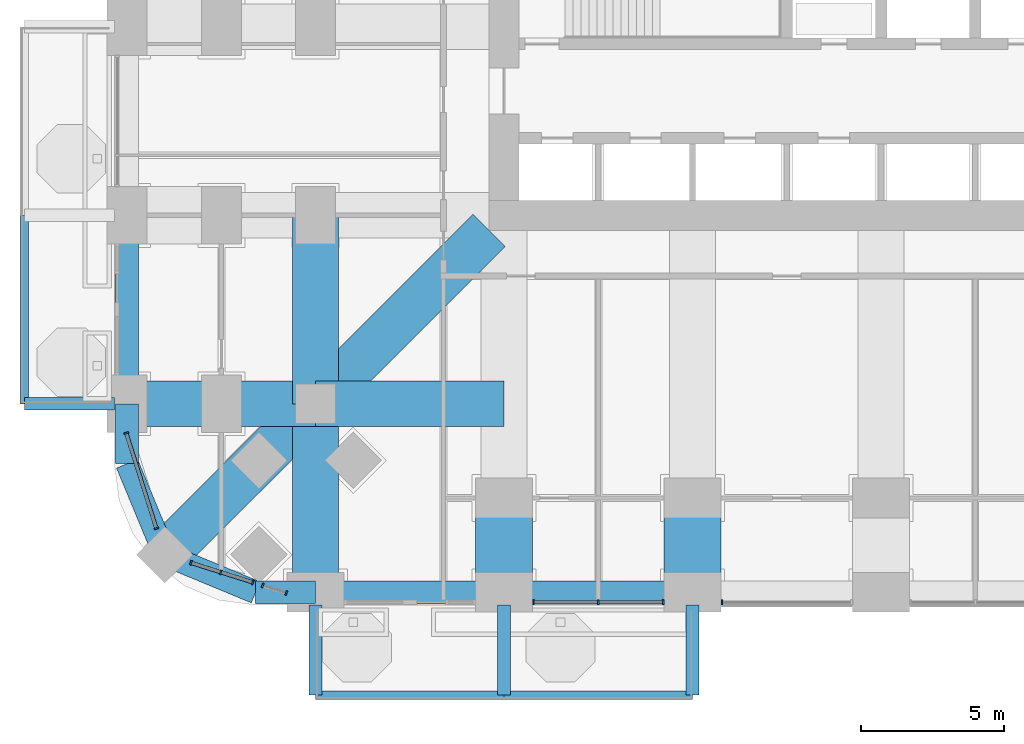
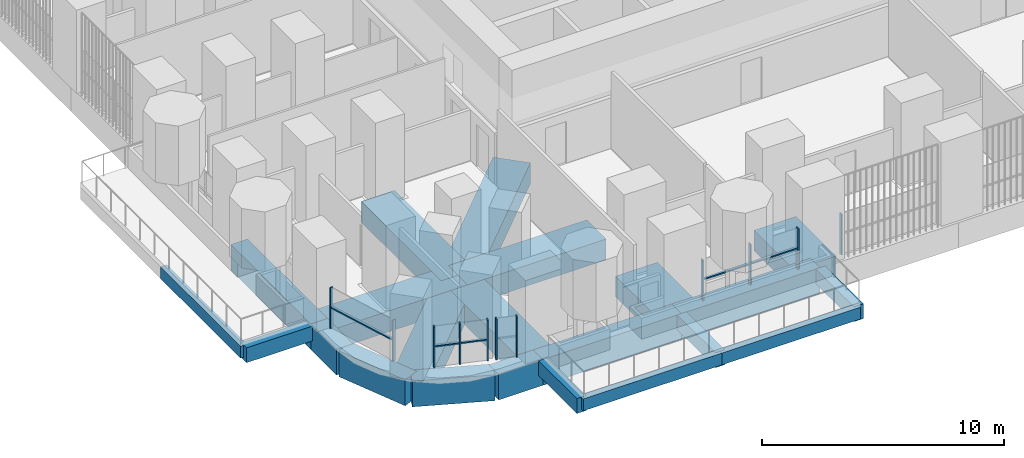
# One storey, part 2 of 27: 22 beams, 16 members, 5 elements without a shape of their own.
"""IFC4 building model written with IfcOpenShell, lengths in metres."""

import ifcopenshell
import ifcopenshell.guid

model = None  # the IFC model being written
_history = None  # IfcOwnerHistory: only IFC2X3 demands one
_inside = {}  # id of a spatial element -> (the spatial element, [elements in it])
_under = {}  # id of a project, library or spatial element -> (it, [spatial elements below it])
_declared = {}  # id of a project -> (the project, [libraries it declares])
_typed = {}  # id of a type object -> (the type object, [elements of that type])
_made_of = {}  # id of a material, layer set ... -> (it, [elements and type objects made of it])


def new_model(schema):
    """Start an empty IFC model of exactly this schema.

    Asked for "IFC4X3", IfcOpenShell would pick the latest addendum, in which some entities
    have other attributes; the version numbers below select the first issue.
    IFC2X3 requires an IfcOwnerHistory on every rooted entity: one is made here for all.
    """
    global model, _history
    if schema == "IFC4X3":
        model = ifcopenshell.file(schema_version=(4, 3, 0, 0))
    else:
        model = ifcopenshell.file(schema=schema)
    _inside.clear()
    _under.clear()
    _declared.clear()
    _typed.clear()
    _made_of.clear()
    _history = None
    if model.schema == "IFC2X3":
        org = make("IfcOrganization", Name="unknown")
        user = make(
            "IfcPersonAndOrganization",
            ThePerson=make("IfcPerson", FamilyName="unknown"),
            TheOrganization=org,
        )
        app = make(
            "IfcApplication",
            ApplicationDeveloper=org,
            Version="unknown",
            ApplicationFullName="unknown",
            ApplicationIdentifier="unknown",
        )
        _history = make(
            "IfcOwnerHistory",
            OwningUser=user,
            OwningApplication=app,
            ChangeAction="ADDED",
            CreationDate=0,
        )
    return model


def make(cls, **values):
    """One entity of the class cls with the attributes given. An attribute that is None is left unset."""
    return model.create_entity(
        cls, **{name: value for name, value in values.items() if value is not None}
    )


def rooted(cls, **values):
    """An entity with a GlobalId (a new one), such as an element, a storey or a relation."""
    return make(cls, GlobalId=ifcopenshell.guid.new(), OwnerHistory=_history, **values)


def si_unit(unit_type, name, prefix=None):
    """IfcSIUnit, for example si_unit("LENGTHUNIT", "METRE", prefix="MILLI")."""
    return make("IfcSIUnit", UnitType=unit_type, Prefix=prefix, Name=name)


def assignment(units):
    """IfcUnitAssignment: the units of a project."""
    return None if units is None else make("IfcUnitAssignment", Units=units)


def point(xyz):
    """IfcCartesianPoint."""
    return None if xyz is None else make("IfcCartesianPoint", Coordinates=xyz)


def direction(xyz):
    """IfcDirection."""
    return None if xyz is None else make("IfcDirection", DirectionRatios=xyz)


def frame(location, z_axis=None, x_axis=None):
    """IfcAxis2Placement3D, a coordinate frame: its origin and axes. An axis left out is left unset."""
    return make(
        "IfcAxis2Placement3D",
        Location=point(location),
        Axis=direction(z_axis),
        RefDirection=direction(x_axis),
    )


def frame_2d(location, x_axis=None):
    """IfcAxis2Placement2D, a coordinate frame in the plane: its origin and x axis."""
    return make(
        "IfcAxis2Placement2D", Location=point(location), RefDirection=direction(x_axis)
    )


def origin():
    """The frame at (0, 0, 0) with its axes left unset."""
    return frame((0.0, 0.0, 0.0))


def origin_2d():
    """The frame at (0, 0) in the plane with its x axis left unset."""
    return frame_2d((0.0, 0.0))


def place(relative_to, where):
    """IfcLocalPlacement: puts the frame where relative to a parent placement (None: the world)."""
    return make(
        "IfcLocalPlacement", PlacementRelTo=relative_to, RelativePlacement=where
    )


def context(
    kind, dimensions, precision=None, world=None, true_north=None, identifier=None
):
    """IfcGeometricRepresentationContext, for example the 3D "Model" context."""
    return make(
        "IfcGeometricRepresentationContext",
        ContextIdentifier=identifier,
        ContextType=kind,
        CoordinateSpaceDimension=dimensions,
        Precision=precision,
        WorldCoordinateSystem=world,
        TrueNorth=true_north,
    )


def subcontext(parent, identifier, kind, view, scale=None):
    """IfcGeometricRepresentationSubContext, for example "Body" below "Model"."""
    return make(
        "IfcGeometricRepresentationSubContext",
        ContextIdentifier=identifier,
        ContextType=kind,
        ParentContext=parent,
        TargetScale=scale,
        TargetView=view,
    )


def project(units=None, contexts=None):
    """IfcProject with its units and contexts."""
    return rooted(
        "IfcProject",
        Name="project",
        RepresentationContexts=contexts,
        UnitsInContext=assignment(units),
    )


def spatial(cls, under=None, at=None, **own):
    """A site, building, storey or space (cls), placed at a placement, below another one or the project."""
    s = rooted(cls, ObjectPlacement=at, **own)
    if under is not None:
        _under.setdefault(under.id(), (under, []))[1].append(s)
    return s


def profile(cls, at=None, kind="AREA", **sizes):
    """A parametric profile (cls). Its sizes go by their IFC names, for example OverallWidth=200.0."""
    return make(cls, ProfileType=kind, Position=at, **sizes)


def rectangle(**sizes):
    """IfcRectangleProfileDef."""
    return profile("IfcRectangleProfileDef", **sizes)


def extrude(swept, where, along, depth):
    """IfcExtrudedAreaSolid: the profile swept, set in the frame where, extruded along a direction by depth."""
    return make(
        "IfcExtrudedAreaSolid",
        SweptArea=swept,
        Position=where,
        ExtrudedDirection=direction(along),
        Depth=depth,
    )


def shape(context_of_items, identifier, shape_type, items):
    """IfcShapeRepresentation: the items that make up one representation, for example the "Body"."""
    return make(
        "IfcShapeRepresentation",
        ContextOfItems=context_of_items,
        RepresentationIdentifier=identifier,
        RepresentationType=shape_type,
        Items=items,
    )


def material(Name=None, Category=None):
    """IfcMaterial."""
    return make("IfcMaterial", Name=Name, Category=Category)


def material_profile(
    of_material, cross_section, Name=None, Category=None, Priority=None
):
    """IfcMaterialProfile: a cross section and its material."""
    return make(
        "IfcMaterialProfile",
        Name=Name,
        Material=of_material,
        Profile=cross_section,
        Priority=Priority,
        Category=Category,
    )


def profile_set(profiles, Name=None, composite=None):
    """IfcMaterialProfileSet."""
    return make(
        "IfcMaterialProfileSet",
        Name=Name,
        MaterialProfiles=profiles,
        CompositeProfile=composite,
    )


def made_of(thing, what):
    """Note that an element or type object is made of a material, layer set ...; save() writes the relation."""
    if what is not None:
        _made_of.setdefault(what.id(), (what, []))[1].append(thing)
    return thing


def type_object(cls, material=None, **own):
    """A type object (cls), such as IfcWallType, which elements share."""
    return made_of(rooted(cls, **own), material)


def element(
    cls,
    number,
    at=None,
    inside=None,
    cuts=None,
    type_object=None,
    material=None,
    context=None,
    identifier="Body",
    shape_type=None,
    held_by="IfcProductDefinitionShape",
    body=None,
    shapes=None,
    **own,
):
    """One element of the class cls, such as IfcWall. Its Tag is "e" and its number.

    at: its placement. inside: the storey or other place that contains it. cuts: it is an
    opening in that element (IfcRelVoidsElement). A single representation is given by context,
    identifier, shape_type and body (its items); several are given by shapes. held_by: the class
    of the entity that holds the representations. save() writes the other relations.
    """
    e = rooted(cls, Tag="e%d" % number, ObjectPlacement=at, **own)
    if body is not None:
        shapes = [shape(context, identifier, shape_type, body)]
    if shapes is not None:
        e.Representation = make(held_by, Representations=shapes)
    if inside is not None:
        _inside.setdefault(inside.id(), (inside, []))[1].append(e)
    if cuts is not None:
        rooted(
            "IfcRelVoidsElement", RelatingBuildingElement=cuts, RelatedOpeningElement=e
        )
    if type_object is not None:
        _typed.setdefault(type_object.id(), (type_object, []))[1].append(e)
    return made_of(e, material)


def aggregate(whole, parts):
    """IfcRelAggregates: a whole, such as a stair, and the parts it consists of."""
    return rooted("IfcRelAggregates", RelatingObject=whole, RelatedObjects=parts)


def save(model, path):
    """Write the relations noted so far, then the file.

    IfcRelAggregates (storeys below a building ...), IfcRelContainedInSpatialStructure (elements
    in a storey), IfcRelDefinesByType, IfcRelAssociatesMaterial and IfcRelDeclares: one each for
    every whole, place, type object, material and project.
    """
    for whole, parts in _under.values():
        aggregate(whole, parts)
    for where, things in _inside.values():
        rooted(
            "IfcRelContainedInSpatialStructure",
            RelatedElements=things,
            RelatingStructure=where,
        )
    for kind, things in _typed.values():
        rooted("IfcRelDefinesByType", RelatedObjects=things, RelatingType=kind)
    for what, things in _made_of.values():
        rooted("IfcRelAssociatesMaterial", RelatedObjects=things, RelatingMaterial=what)
    for by, libraries in _declared.values():
        rooted("IfcRelDeclares", RelatingContext=by, RelatedDefinitions=libraries)
    model.write(path)


model = new_model("IFC4")

# Units and contexts
model_context = context("Model", 3, precision=1e-05, world=origin(), true_north=direction((0.0, 1.0)))
body_context = subcontext(model_context, "Body", "Model", "MODEL_VIEW")
ifc_project = project(units=[si_unit("LENGTHUNIT", "METRE"), si_unit("AREAUNIT", "SQUARE_METRE"), si_unit("VOLUMEUNIT", "CUBIC_METRE"), si_unit("PLANEANGLEUNIT", "RADIAN"), si_unit("MASSUNIT", "GRAM", prefix="KILO")], contexts=[model_context])

# Site, building, storey
site_placement = place(None, origin())
site = spatial("IfcSite", under=ifc_project, at=site_placement, CompositionType="ELEMENT")
building_placement = place(site_placement, origin())
building = spatial("IfcBuilding", under=site, at=building_placement, Name="Cobogo Forest Laboratory Tower", CompositionType="ELEMENT")
storey_placement = place(building_placement, frame((0.0, 0.0, 71.699951171875)))
storey = spatial("IfcBuildingStorey", under=building, at=storey_placement, Name="L16", CompositionType="ELEMENT", Elevation=71.699951171875)

# Beams
ifc_material_1 = material(Name="Concrete HA-40 (C40/50)", Category="concrete")
ifc_material_profile_1 = material_profile(ifc_material_1, rectangle(XDim=0.449951171875, YDim=0.75, at=origin_2d()), Name="RC 450x750")
ifc_profile_set_1 = profile_set([ifc_material_profile_1], Name="Concrete HA-40 (C40/50)")
beam_type_1 = type_object("IfcBeamType", Name="Balcony cantilever beam 450x750", PredefinedType="BEAM", material=ifc_profile_set_1)
for number, where, z_axis, x_axis, name in (
    (1, (6.60009765625, -0.449951171875, -0.625), (0.0, -1.0, 0.0), (1.0, 0.0, 0.0), "CB1 BAL-S1-C1 L16"),
    (2, (13.199951171875, -0.449951171875, -0.625), (0.0, -1.0, 0.0), (1.0, 0.0, 0.0), "CB1 BAL-S1-C2 L16"),
    (3, (19.800048828125, -0.449951171875, -0.625), (0.0, -1.0, 0.0), (1.0, 0.0, 0.0), "CB1 BAL-S1-C3 L16"),
    (4, (-0.449951171875, 6.60009765625, -0.625), (-1.0, 0.0, 0.0), (0.0, -1.0, 0.0), "CB1 BAL-W1-C1 L16"),
):
    element("IfcBeam", number, at=place(storey_placement, frame(where, z_axis=z_axis, x_axis=x_axis)), inside=storey, type_object=beam_type_1, Name=name, PredefinedType="BEAM", context=body_context, shape_type="SweptSolid", body=[
        extrude(rectangle(XDim=0.449951171875, YDim=0.75, at=origin_2d()), origin(), (0.0, 0.0, 1.0), 3.150146484375),
    ])
ifc_material_profile_2 = material_profile(ifc_material_1, rectangle(XDim=0.300048828125, YDim=0.60009765625, at=origin_2d()), Name="RC 300x600")
ifc_profile_set_2 = profile_set([ifc_material_profile_2], Name="Concrete HA-40 (C40/50)")
beam_type_2 = type_object("IfcBeamType", Name="Balcony edge beam 300x600", PredefinedType="BEAM", material=ifc_profile_set_2)
beam_1_placement = place(storey_placement, frame((6.60009765625, -3.60009765625, -0.550048828125), z_axis=(1.0, 0.0, 0.0), x_axis=(0.0, 1.0, 0.0)))
element("IfcBeam", 5, at=beam_1_placement, inside=storey, type_object=beam_type_2, Name="BB1 BAL-S1-T1 L16", PredefinedType="BEAM", context=body_context, shape_type="SweptSolid", body=[
    extrude(rectangle(XDim=0.300048828125, YDim=0.60009765625, at=origin_2d()), origin(), (0.0, 0.0, 1.0), 6.599853515625),
])
beam_2_placement = place(storey_placement, frame((13.199951171875, -3.60009765625, -0.550048828125), z_axis=(1.0, 0.0, 0.0), x_axis=(0.0, 1.0, 0.0)))
element("IfcBeam", 6, at=beam_2_placement, inside=storey, type_object=beam_type_2, Name="BB1 BAL-S1-T2 L16", PredefinedType="BEAM", context=body_context, shape_type="SweptSolid", body=[
    extrude(rectangle(XDim=0.300048828125, YDim=0.60009765625, at=origin_2d()), origin(), (0.0, 0.0, 1.0), 6.60009765625),
])
beam_3_placement = place(storey_placement, frame((-3.60009765625, 6.60009765625, -0.550048828125), z_axis=(0.0, 1.0, 0.0), x_axis=(-1.0, 0.0, 0.0)))
element("IfcBeam", 7, at=beam_3_placement, inside=storey, type_object=beam_type_2, Name="BB1 BAL-W1-T1 L16", PredefinedType="BEAM", context=body_context, shape_type="SweptSolid", body=[
    extrude(rectangle(XDim=0.300048828125, YDim=0.60009765625, at=origin_2d()), origin(), (0.0, 0.0, 1.0), 6.599853515625),
])
ifc_material_2 = material(Name="Concrete HA-50 (C50/60)", Category="concrete")
ifc_material_profile_3 = material_profile(ifc_material_2, rectangle(XDim=2.0, YDim=1.050048828125, at=origin_2d()), Name="RC 2000x1050")
ifc_profile_set_3 = profile_set([ifc_material_profile_3], Name="Concrete HA-50 (C50/60)")
beam_type_3 = type_object("IfcBeamType", Name="End-bay wide beam 2000x1050", PredefinedType="BEAM", material=ifc_profile_set_3)
for number, where, z_axis, x_axis, name in (
    (8, (13.199951171875, 0.0, -0.824951171875), (0.0, 1.0, 0.0), (-1.0, 0.0, 0.0), "RB7 R-3-S-X L16"),
    (9, (19.800048828125, 0.0, -0.824951171875), (0.0, 1.0, 0.0), (-1.0, 0.0, 0.0), "RB7 R-4-S-X L16"),
):
    element("IfcBeam", number, at=place(storey_placement, frame(where, z_axis=z_axis, x_axis=x_axis)), inside=storey, type_object=beam_type_3, Name=name, PredefinedType="BEAM", context=body_context, shape_type="SweptSolid", body=[
        extrude(rectangle(XDim=2.0, YDim=1.050048828125, at=origin_2d()), origin(), (0.0, 0.0, 1.0), 3.300048828125),
    ])
ifc_material_profile_4 = material_profile(ifc_material_2, rectangle(XDim=1.60009765625, YDim=1.050048828125, at=origin_2d()), Name="RC 1600x1050")
ifc_profile_set_4 = profile_set([ifc_material_profile_4], Name="Concrete HA-50 (C50/60)")
beam_type_4 = type_object("IfcBeamType", Name="Laboratory floor wide beam 1600x1050", PredefinedType="BEAM", material=ifc_profile_set_4)
beam_4_placement = place(storey_placement, frame((6.60009765625, 0.0, -0.824951171875), z_axis=(0.0, 1.0, 0.0), x_axis=(-1.0, 0.0, 0.0)))
element("IfcBeam", 10, at=beam_4_placement, inside=storey, type_object=beam_type_4, Name="RB8 G-SW-XF L16", PredefinedType="BEAM", context=body_context, shape_type="SweptSolid", body=[
    extrude(rectangle(XDim=1.60009765625, YDim=1.050048828125, at=origin_2d()), origin(), (0.0, 0.0, 1.0), 6.60009765625),
])
beam_5_placement = place(storey_placement, frame((6.60009765625, 6.60009765625, -0.824951171875), z_axis=(0.0, 1.0, 0.0), x_axis=(-1.0, 0.0, 0.0)))
element("IfcBeam", 11, at=beam_5_placement, inside=storey, type_object=beam_type_4, Name="RB8 G-SW-XC L16", PredefinedType="BEAM", context=body_context, shape_type="SweptSolid", body=[
    extrude(rectangle(XDim=1.60009765625, YDim=1.050048828125, at=origin_2d()), origin(), (0.0, 0.0, 1.0), 6.599853515625),
])
beam_6_placement = place(storey_placement, frame((0.0, 6.60009765625, -0.824951171875), z_axis=(1.0, 0.0, 0.0), x_axis=(0.0, 1.0, 0.0)))
element("IfcBeam", 12, at=beam_6_placement, inside=storey, type_object=beam_type_4, Name="RB8 G-SW-YF L16", PredefinedType="BEAM", context=body_context, shape_type="SweptSolid", body=[
    extrude(rectangle(XDim=1.60009765625, YDim=1.050048828125, at=origin_2d()), origin(), (0.0, 0.0, 1.0), 6.60009765625),
])
beam_7_placement = place(storey_placement, frame((6.60009765625, 6.60009765625, -0.824951171875), z_axis=(1.0, 0.0, 0.0), x_axis=(0.0, 1.0, 0.0)))
element("IfcBeam", 13, at=beam_7_placement, inside=storey, type_object=beam_type_4, Name="RB8 G-SW-YC L16", PredefinedType="BEAM", context=body_context, shape_type="SweptSolid", body=[
    extrude(rectangle(XDim=1.60009765625, YDim=1.050048828125, at=origin_2d()), origin(), (0.0, 0.0, 1.0), 6.599853515625),
])
beam_8_placement = place(storey_placement, frame((1.318115234375, 1.318115234375, -0.824951171875), z_axis=(0.707106781187, 0.707106781187, 0.0), x_axis=(-0.707106781187, 0.707106781187, 0.0)))
element("IfcBeam", 14, at=beam_8_placement, inside=storey, type_object=beam_type_4, Name="RB8 G-SW-D1 L16", PredefinedType="BEAM", context=body_context, shape_type="SweptSolid", body=[
    extrude(rectangle(XDim=1.60009765625, YDim=1.050048828125, at=origin_2d()), origin(), (0.0, 0.0, 1.0), 7.469970703125),
])
beam_9_placement = place(storey_placement, frame((6.60009765625, 6.60009765625, -0.824951171875), z_axis=(0.707106781187, 0.707106781187, 0.0), x_axis=(-0.707106781187, 0.707106781187, 0.0)))
element("IfcBeam", 15, at=beam_9_placement, inside=storey, type_object=beam_type_4, Name="RB8 G-SW-D2 L16", PredefinedType="BEAM", context=body_context, shape_type="SweptSolid", body=[
    extrude(rectangle(XDim=1.60009765625, YDim=1.050048828125, at=origin_2d()), origin(), (0.0, 0.0, 1.0), 8.59130859375),
])

# Curtain wall, members
ifc_material_3 = material(Name="Aluminium curtain wall", Category="aluminium")
curtain_wall_type = type_object("IfcCurtainWallType", Name="CW-1 unitised curtain wall, clear glazing, laboratory floors zones A and B", PredefinedType="USERDEFINED", material=ifc_material_3)
curtain_wall_1_placement = place(storey_placement, origin())
curtain_wall_1 = element("IfcCurtainWall", 16, at=curtain_wall_1_placement, inside=storey, type_object=curtain_wall_type, Name="Curtain wall 02 L16", ObjectType="UNITISED CURTAIN WALL", PredefinedType="USERDEFINED")
ifc_material_4 = material(Name="Aluminium mullion", Category="aluminium")
ifc_material_profile_5 = material_profile(ifc_material_4, rectangle(XDim=0.06005859375, YDim=0.159912109375, at=origin_2d()), Name="AL 60x160")
ifc_profile_set_5 = profile_set([ifc_material_profile_5], Name="Aluminium mullion")
member_type_1 = type_object("IfcMemberType", Name="MU-1 aluminium mullion 60x160", PredefinedType="MULLION", material=ifc_profile_set_5)
member_1_placement = place(storey_placement, frame((14.22998046875, -0.35009765625, 0.0), z_axis=(0.0, 0.0, 1.0), x_axis=(1.0, 0.0, 0.0)))
member_1 = element("IfcMember", 17, at=member_1_placement, type_object=member_type_1, Name="CW-1 mullion 1", PredefinedType="MULLION", context=body_context, shape_type="SweptSolid", body=[
    extrude(rectangle(XDim=0.06005859375, YDim=0.159912109375, at=origin_2d()), origin(), (0.0, 0.0, 1.0), 2.050048828125),
])
member_2_placement = place(storey_placement, frame((16.5, -0.35009765625, 0.0), z_axis=(0.0, 0.0, 1.0), x_axis=(1.0, 0.0, 0.0)))
member_2 = element("IfcMember", 18, at=member_2_placement, type_object=member_type_1, Name="CW-1 mullion 2", PredefinedType="MULLION", context=body_context, shape_type="SweptSolid", body=[
    extrude(rectangle(XDim=0.06005859375, YDim=0.159912109375, at=origin_2d()), origin(), (0.0, 0.0, 1.0), 2.050048828125),
])
member_3_placement = place(storey_placement, frame((18.77001953125, -0.35009765625, 0.0), z_axis=(0.0, 0.0, 1.0), x_axis=(1.0, 0.0, 0.0)))
member_3 = element("IfcMember", 19, at=member_3_placement, type_object=member_type_1, Name="CW-1 mullion 3", PredefinedType="MULLION", context=body_context, shape_type="SweptSolid", body=[
    extrude(rectangle(XDim=0.06005859375, YDim=0.159912109375, at=origin_2d()), origin(), (0.0, 0.0, 1.0), 2.050048828125),
])

# Curtain wall, member
curtain_wall_2_placement = place(storey_placement, origin())
curtain_wall_2 = element("IfcCurtainWall", 20, at=curtain_wall_2_placement, inside=storey, type_object=curtain_wall_type, Name="Curtain wall 03 L16", ObjectType="UNITISED CURTAIN WALL", PredefinedType="USERDEFINED")
member_4_placement = place(storey_placement, frame((20.830078125, -0.35009765625, 0.0), z_axis=(0.0, 0.0, 1.0), x_axis=(1.0, 0.0, 0.0)))
member_4 = element("IfcMember", 21, at=member_4_placement, type_object=member_type_1, Name="CW-1 mullion 1", PredefinedType="MULLION", context=body_context, shape_type="SweptSolid", body=[
    extrude(rectangle(XDim=0.06005859375, YDim=0.159912109375, at=origin_2d()), origin(), (0.0, 0.0, 1.0), 2.050048828125),
])
aggregate(curtain_wall_2, [member_4])

# Curtain wall, members
curtain_wall_3_placement = place(storey_placement, origin())
curtain_wall_3 = element("IfcCurtainWall", 22, at=curtain_wall_3_placement, inside=storey, type_object=curtain_wall_type, Name="Curtain wall 32 L16", ObjectType="UNITISED CURTAIN WALL", PredefinedType="USERDEFINED")
member_5_placement = place(storey_placement, frame((-0.025146484375, 5.5712890625, 0.0), z_axis=(0.0, 0.0, 1.0), x_axis=(0.301135433696, -0.953581381201, 0.0)))
member_5 = element("IfcMember", 23, at=member_5_placement, type_object=member_type_1, Name="CW-1 mullion 1", PredefinedType="MULLION", context=body_context, shape_type="SweptSolid", body=[
    extrude(rectangle(XDim=0.06005859375, YDim=0.159912109375, at=origin_2d()), origin(), (0.0, 0.0, 1.0), 2.050048828125),
])
member_6_placement = place(storey_placement, frame((1.02734375, 2.23876953125, 0.0), z_axis=(0.0, 0.0, 1.0), x_axis=(0.301135433696, -0.953581381201, 0.0)))
member_6 = element("IfcMember", 24, at=member_6_placement, type_object=member_type_1, Name="CW-1 mullion 2", PredefinedType="MULLION", context=body_context, shape_type="SweptSolid", body=[
    extrude(rectangle(XDim=0.06005859375, YDim=0.159912109375, at=origin_2d()), origin(), (0.0, 0.0, 1.0), 2.050048828125),
])

curtain_wall_4_placement = place(storey_placement, origin())
curtain_wall_4 = element("IfcCurtainWall", 25, at=curtain_wall_4_placement, inside=storey, type_object=curtain_wall_type, Name="Curtain wall 33 L16", ObjectType="UNITISED CURTAIN WALL", PredefinedType="USERDEFINED")
member_7_placement = place(storey_placement, frame((2.23876953125, 1.02734375, 0.0), z_axis=(0.0, 0.0, 1.0), x_axis=(0.953581409645, -0.301135343623, 0.0)))
member_7 = element("IfcMember", 26, at=member_7_placement, type_object=member_type_1, Name="CW-1 mullion 1", PredefinedType="MULLION", context=body_context, shape_type="SweptSolid", body=[
    extrude(rectangle(XDim=0.06005859375, YDim=0.159912109375, at=origin_2d()), origin(), (0.0, 0.0, 1.0), 2.050048828125),
])
member_8_placement = place(storey_placement, frame((3.27587890625, 0.69970703125, 0.0), z_axis=(0.0, 0.0, 1.0), x_axis=(0.953581409645, -0.301135343623, 0.0)))
member_8 = element("IfcMember", 27, at=member_8_placement, type_object=member_type_1, Name="CW-1 mullion 2", PredefinedType="MULLION", context=body_context, shape_type="SweptSolid", body=[
    extrude(rectangle(XDim=0.06005859375, YDim=0.159912109375, at=origin_2d()), origin(), (0.0, 0.0, 1.0), 2.050048828125),
])
member_9_placement = place(storey_placement, frame((4.39697265625, 0.345703125, 0.0), z_axis=(0.0, 0.0, 1.0), x_axis=(0.953581409645, -0.301135343623, 0.0)))
member_9 = element("IfcMember", 28, at=member_9_placement, type_object=member_type_1, Name="CW-1 mullion 3", PredefinedType="MULLION", context=body_context, shape_type="SweptSolid", body=[
    extrude(rectangle(XDim=0.06005859375, YDim=0.159912109375, at=origin_2d()), origin(), (0.0, 0.0, 1.0), 2.050048828125),
])

curtain_wall_5_placement = place(storey_placement, origin())
curtain_wall_5 = element("IfcCurtainWall", 29, at=curtain_wall_5_placement, inside=storey, type_object=curtain_wall_type, Name="Curtain wall 34 L16", ObjectType="UNITISED CURTAIN WALL", PredefinedType="USERDEFINED")
member_10_placement = place(storey_placement, frame((4.74658203125, 0.2353515625, 0.0), z_axis=(0.0, 0.0, 1.0), x_axis=(0.953581406818, -0.301135352577, 0.0)))
member_10 = element("IfcMember", 30, at=member_10_placement, type_object=member_type_1, Name="CW-1 mullion 1", PredefinedType="MULLION", context=body_context, shape_type="SweptSolid", body=[
    extrude(rectangle(XDim=0.06005859375, YDim=0.159912109375, at=origin_2d()), origin(), (0.0, 0.0, 1.0), 2.050048828125),
])
member_11_placement = place(storey_placement, frame((5.5712890625, -0.025146484375, 0.0), z_axis=(0.0, 0.0, 1.0), x_axis=(0.953581406818, -0.301135352577, 0.0)))
member_11 = element("IfcMember", 31, at=member_11_placement, type_object=member_type_1, Name="CW-1 mullion 2", PredefinedType="MULLION", context=body_context, shape_type="SweptSolid", body=[
    extrude(rectangle(XDim=0.06005859375, YDim=0.159912109375, at=origin_2d()), origin(), (0.0, 0.0, 1.0), 2.050048828125),
])
aggregate(curtain_wall_5, [member_10, member_11])

# Beams
ifc_material_profile_6 = material_profile(ifc_material_1, rectangle(XDim=0.800048828125, YDim=1.300048828125, at=origin_2d()), Name="RC 800x1300")
ifc_profile_set_6 = profile_set([ifc_material_profile_6], Name="Concrete HA-40 (C40/50)")
beam_type_5 = type_object("IfcBeamType", Name="Perimeter edge beam 800x1300", PredefinedType="BEAM", material=ifc_profile_set_6)
beam_10_placement = place(storey_placement, frame((6.60009765625, 0.0, -0.949951171875), z_axis=(1.0, 0.0, 0.0), x_axis=(0.0, 1.0, 0.0)))
element("IfcBeam", 32, at=beam_10_placement, inside=storey, type_object=beam_type_5, Name="EB2 E-S1 L16", PredefinedType="BEAM", context=body_context, shape_type="SweptSolid", body=[
    extrude(rectangle(XDim=0.800048828125, YDim=1.300048828125, at=origin_2d()), origin(), (0.0, 0.0, 1.0), 6.599853515625),
])
beam_11_placement = place(storey_placement, frame((13.199951171875, 0.0, -0.949951171875), z_axis=(1.0, 0.0, 0.0), x_axis=(0.0, 1.0, 0.0)))
element("IfcBeam", 33, at=beam_11_placement, inside=storey, type_object=beam_type_5, Name="EB2 E-S2 L16", PredefinedType="BEAM", context=body_context, shape_type="SweptSolid", body=[
    extrude(rectangle(XDim=0.800048828125, YDim=1.300048828125, at=origin_2d()), origin(), (0.0, 0.0, 1.0), 6.60009765625),
])
beam_12_placement = place(storey_placement, frame((0.0, 6.60009765625, -0.949951171875), z_axis=(0.0, 1.0, 0.0), x_axis=(-1.0, 0.0, 0.0)))
element("IfcBeam", 34, at=beam_12_placement, inside=storey, type_object=beam_type_5, Name="EB2 E-W1 L16", PredefinedType="BEAM", context=body_context, shape_type="SweptSolid", body=[
    extrude(rectangle(XDim=0.800048828125, YDim=1.300048828125, at=origin_2d()), origin(), (0.0, 0.0, 1.0), 6.599853515625),
])
beam_13_placement = place(storey_placement, frame((6.60009765625, 0.0, -0.949951171875), z_axis=(-1.0, 0.0, 0.0), x_axis=(0.0, -1.0, 0.0)))
element("IfcBeam", 35, at=beam_13_placement, inside=storey, type_object=beam_type_5, Name="EB2 E-SWS1 L16", PredefinedType="BEAM", context=body_context, shape_type="SweptSolid", body=[
    extrude(rectangle(XDim=0.800048828125, YDim=1.300048828125, at=origin_2d()), origin(), (0.0, 0.0, 1.0), 2.10009765625),
])
beam_14_placement = place(storey_placement, frame((4.5, 0.0, -0.949951171875), z_axis=(-0.923865631356, 0.382716990999, 0.0), x_axis=(-0.382716990999, -0.923865631356, 0.0)))
element("IfcBeam", 36, at=beam_14_placement, inside=storey, type_object=beam_type_5, Name="EB2 E-SWS2 L16", PredefinedType="BEAM", context=body_context, shape_type="SweptSolid", body=[
    extrude(rectangle(XDim=0.800048828125, YDim=1.300048828125, at=origin_2d()), origin(), (0.0, 0.0, 1.0), 3.444091796875),
])
beam_15_placement = place(storey_placement, frame((0.0, 6.60009765625, -0.949951171875), z_axis=(0.0, -1.0, 0.0), x_axis=(1.0, 0.0, 0.0)))
element("IfcBeam", 37, at=beam_15_placement, inside=storey, type_object=beam_type_5, Name="EB2 E-SWW1 L16", PredefinedType="BEAM", context=body_context, shape_type="SweptSolid", body=[
    extrude(rectangle(XDim=0.800048828125, YDim=1.300048828125, at=origin_2d()), origin(), (0.0, 0.0, 1.0), 2.10009765625),
])
beam_16_placement = place(storey_placement, frame((0.0, 4.5, -0.949951171875), z_axis=(0.382716990999, -0.923865631356, 0.0), x_axis=(0.923865631356, 0.382716990999, 0.0)))
element("IfcBeam", 38, at=beam_16_placement, inside=storey, type_object=beam_type_5, Name="EB2 E-SWW2 L16", PredefinedType="BEAM", context=body_context, shape_type="SweptSolid", body=[
    extrude(rectangle(XDim=0.800048828125, YDim=1.300048828125, at=origin_2d()), origin(), (0.0, 0.0, 1.0), 3.444091796875),
])

# Member
ifc_material_5 = material(Name="Aluminium transom", Category="aluminium")
ifc_material_profile_7 = material_profile(ifc_material_5, rectangle(XDim=0.1201171875, YDim=0.06005859375, at=origin_2d()), Name="AL 60x120")
ifc_profile_set_7 = profile_set([ifc_material_profile_7], Name="Aluminium transom")
member_type_2 = type_object("IfcMemberType", Name="TR-1 aluminium transom 60x120", PredefinedType="USERDEFINED", material=ifc_profile_set_7)
member_12_placement = place(storey_placement, frame((14.260009765625, -0.35009765625, 1.050048828125), z_axis=(1.0, 0.0, 0.0), x_axis=(0.0, 1.0, 0.0)))
member_12 = element("IfcMember", 39, at=member_12_placement, type_object=member_type_2, Name="CW-1 transom 1.1", ObjectType="TRANSOM", PredefinedType="USERDEFINED", context=body_context, shape_type="SweptSolid", body=[
    extrude(rectangle(XDim=0.1201171875, YDim=0.06005859375, at=origin_2d()), origin(), (0.0, 0.0, 1.0), 2.2099609375),
])

member_13_placement = place(storey_placement, frame((16.530029296875, -0.35009765625, 1.050048828125), z_axis=(1.0, 0.0, 0.0), x_axis=(0.0, 1.0, 0.0)))
member_13 = element("IfcMember", 40, at=member_13_placement, type_object=member_type_2, Name="CW-1 transom 2.1", ObjectType="TRANSOM", PredefinedType="USERDEFINED", context=body_context, shape_type="SweptSolid", body=[
    extrude(rectangle(XDim=0.1201171875, YDim=0.06005859375, at=origin_2d()), origin(), (0.0, 0.0, 1.0), 2.2099609375),
])

aggregate(curtain_wall_1, [member_1, member_2, member_3, member_12, member_13])

member_14_placement = place(storey_placement, frame((-0.01611328125, 5.542724609375, 1.050048828125), z_axis=(0.301155179686, -0.953575145308, 0.0), x_axis=(0.953575145308, 0.301155179686, 0.0)))
member_14 = element("IfcMember", 41, at=member_14_placement, type_object=member_type_2, Name="CW-1 transom 1.1", ObjectType="TRANSOM", PredefinedType="USERDEFINED", context=body_context, shape_type="SweptSolid", body=[
    extrude(rectangle(XDim=0.1201171875, YDim=0.06005859375, at=origin_2d()), origin(), (0.0, 0.0, 1.0), 3.434814453125),
])

aggregate(curtain_wall_3, [member_5, member_6, member_14])

member_15_placement = place(storey_placement, frame((2.267333984375, 1.018310546875, 1.050048828125), z_axis=(0.953553938535, -0.301222320394, 0.0), x_axis=(0.301222320394, 0.953553938535, 0.0)))
member_15 = element("IfcMember", 42, at=member_15_placement, type_object=member_type_2, Name="CW-1 transom 1.1", ObjectType="TRANSOM", PredefinedType="USERDEFINED", context=body_context, shape_type="SweptSolid", body=[
    extrude(rectangle(XDim=0.1201171875, YDim=0.06005859375, at=origin_2d()), origin(), (0.0, 0.0, 1.0), 1.02783203125),
])

member_16_placement = place(storey_placement, frame((3.304443359375, 0.690673828125, 1.050048828125), z_axis=(0.953595892327, -0.301089478624, 0.0), x_axis=(0.301089478624, 0.953595892327, 0.0)))
member_16 = element("IfcMember", 43, at=member_16_placement, type_object=member_type_2, Name="CW-1 transom 2.1", ObjectType="TRANSOM", PredefinedType="USERDEFINED", context=body_context, shape_type="SweptSolid", body=[
    extrude(rectangle(XDim=0.1201171875, YDim=0.06005859375, at=origin_2d()), origin(), (0.0, 0.0, 1.0), 1.11572265625),
])

aggregate(curtain_wall_4, [member_7, member_8, member_9, member_15, member_16])

save(model, "model.ifc")
